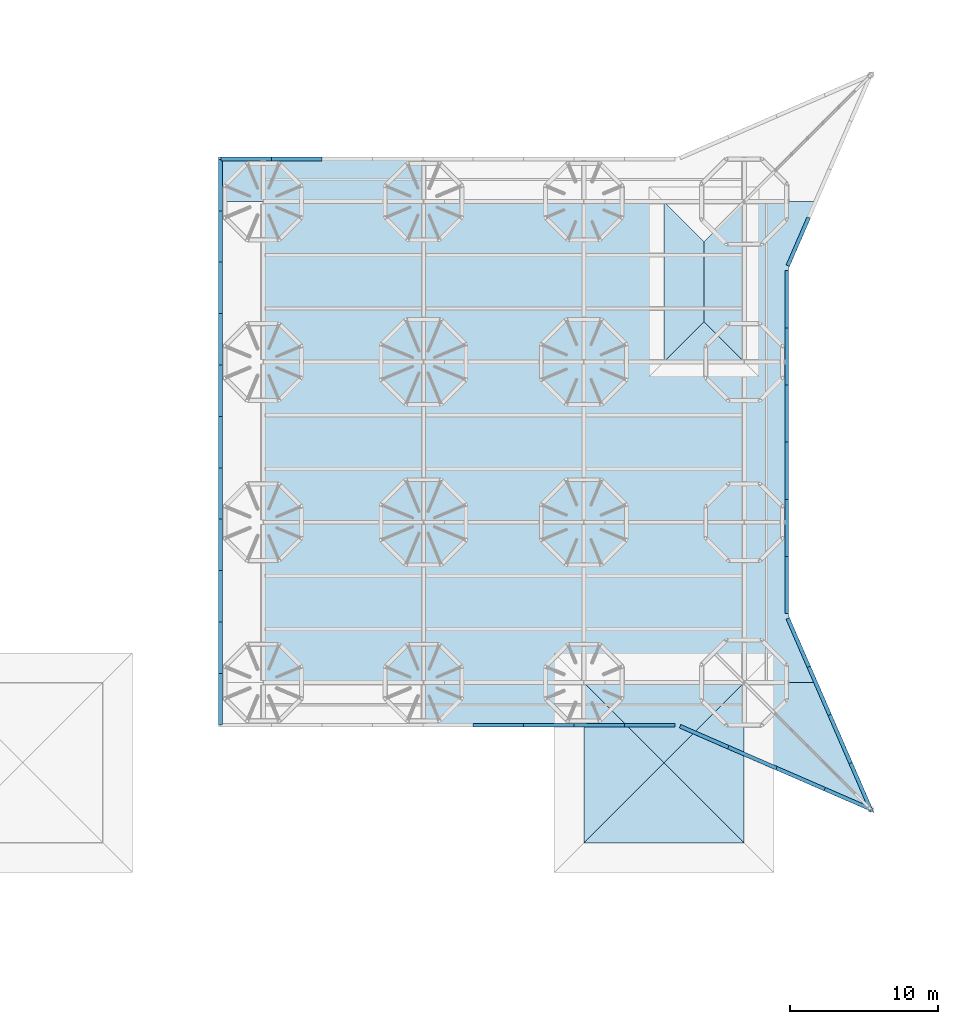
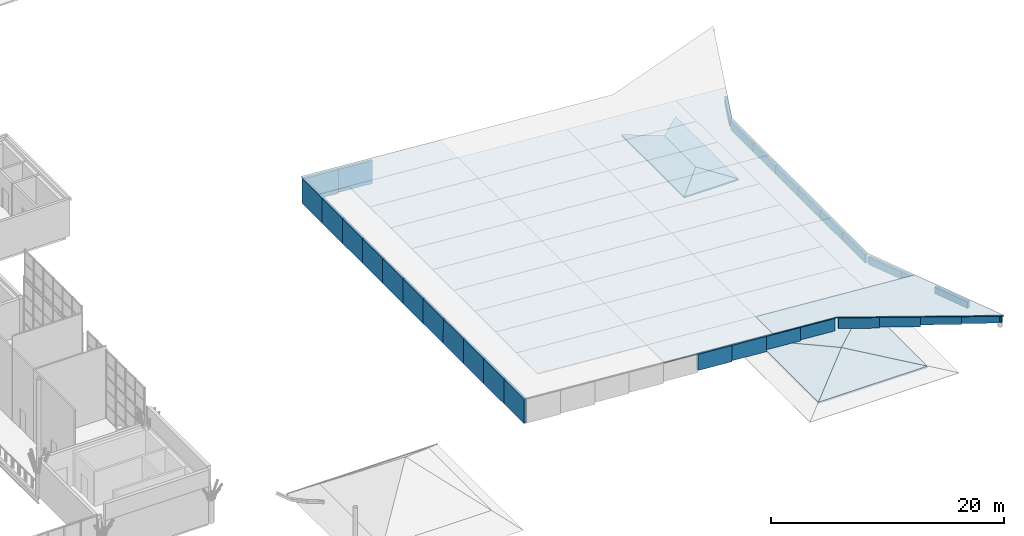
# One storey, part 54 of 95: 40 slabs, 32 plates.
"""IFC4 building model written with IfcOpenShell, lengths in metres."""

from ifc_helpers import new_model, si_unit, direction, frame, origin, place, context, subcontext, project, spatial, polyline, outline, extrude, material, layer, layer_set, type_object, element, save


model = new_model("IFC4")

# Units and contexts
model_context = context("Model", 3, precision=1e-05, world=origin(), true_north=direction((0.0, 1.0)))
body_context = subcontext(model_context, "Body", "Model", "MODEL_VIEW")
ifc_project = project(units=[si_unit("LENGTHUNIT", "METRE"), si_unit("AREAUNIT", "SQUARE_METRE"), si_unit("VOLUMEUNIT", "CUBIC_METRE"), si_unit("PLANEANGLEUNIT", "RADIAN"), si_unit("MASSUNIT", "GRAM", prefix="KILO")], contexts=[model_context])

# Site, building, storey
site_placement = place(None, origin())
site = spatial("IfcSite", under=ifc_project, at=site_placement, CompositionType="ELEMENT")
building_placement = place(site_placement, origin())
building = spatial("IfcBuilding", under=site, at=building_placement, Name="Magnolia Steps Interchange", CompositionType="ELEMENT")
storey_placement = place(building_placement, frame((0.0, 0.0, 4.800048828125)))
storey = spatial("IfcBuildingStorey", under=building, at=storey_placement, Name="L01", CompositionType="ELEMENT", Elevation=4.800048828125)

# Slabs
ifc_material_1 = material(Name="Concrete C30", Category="concrete")
ifc_layer_1 = layer(ifc_material_1, 0.10009765625)
ifc_layer_set_1 = layer_set([ifc_layer_1], Name="Composite roof deck 100")
slab_type_1 = type_object("IfcSlabType", Name="Composite roof deck 100", PredefinedType="ROOF", material=ifc_layer_set_1)
for number, where, z_axis, x_axis, name in (
    (1, (161.199951171875, 42.39990234375, 3.3935546875), (0.072732236604, 0.0, 0.997351503613), (0.0, 1.0, 0.0), "Composite roof deck panel"),
    (2, (161.199951171875, 46.0, 3.3935546875), (0.072732236604, 0.0, 0.997351503613), (0.0, 1.0, 0.0), "Composite roof deck panel"),
):
    element("IfcSlab", number, at=place(storey_placement, frame(where, z_axis=z_axis, x_axis=x_axis)), inside=storey, type_object=slab_type_1, Name=name, PredefinedType="ROOF", context=body_context, shape_type="SweptSolid", body=[
        extrude(outline(polyline([(0.0, 0.0), (3.600097656, 0.0), (3.600097656, 10.828728677), (0.0, 10.828728677), (0.0, 0.0)])), origin(), (0.0, -0.072732236604, -0.997351503613), 0.100341796875),
    ])
slab_1_placement = place(storey_placement, frame((161.199951171875, 49.60009765625, 3.3935546875), z_axis=(0.072732236604, 0.0, 0.997351503613), x_axis=(0.0, 1.0, 0.0)))
element("IfcSlab", 3, at=slab_1_placement, inside=storey, type_object=slab_type_1, Name="Composite roof deck panel", PredefinedType="ROOF", context=body_context, shape_type="SweptSolid", body=[
    extrude(outline(polyline([(0.0, 0.0), (3.599853516, 0.0), (3.599853516, 10.828728677), (0.0, 10.828728677), (0.0, 0.0)])), origin(), (0.0, -0.072732236604, -0.997351503613), 0.100341796875),
])
slab_2_placement = place(storey_placement, frame((161.199951171875, 53.199951171875, 3.3935546875), z_axis=(0.072732236604, 0.0, 0.997351503613), x_axis=(0.0, 1.0, 0.0)))
element("IfcSlab", 4, at=slab_2_placement, inside=storey, type_object=slab_type_1, Name="Composite roof deck panel", PredefinedType="ROOF", context=body_context, shape_type="SweptSolid", body=[
    extrude(outline(polyline([(0.0, 0.0), (3.600097656, 0.0), (3.600097656, 10.828728677), (0.0, 10.828728677), (0.0, 0.0)])), origin(), (0.0, -0.072732236604, -0.997351503613), 0.100341796875),
])
slab_3_placement = place(storey_placement, frame((161.199951171875, 56.800048828125, 3.3935546875), z_axis=(0.072732236604, 0.0, 0.997351503613), x_axis=(0.0, 1.0, 0.0)))
element("IfcSlab", 5, at=slab_3_placement, inside=storey, type_object=slab_type_1, Name="Composite roof deck panel", PredefinedType="ROOF", context=body_context, shape_type="SweptSolid", body=[
    extrude(outline(polyline([(0.0, 0.0), (3.599853516, 0.0), (3.599853516, 10.828728677), (0.0, 10.828728677), (0.0, 0.0)])), origin(), (0.0, -0.072732236604, -0.997351503613), 0.100341796875),
])
for number, where, z_axis, x_axis, name in (
    (6, (161.199951171875, 60.39990234375, 3.3935546875), (0.072732236604, 0.0, 0.997351503613), (0.0, 1.0, 0.0), "Composite roof deck panel"),
    (7, (161.199951171875, 64.0, 3.3935546875), (0.072732236604, 0.0, 0.997351503613), (0.0, 1.0, 0.0), "Composite roof deck panel"),
):
    element("IfcSlab", number, at=place(storey_placement, frame(where, z_axis=z_axis, x_axis=x_axis)), inside=storey, type_object=slab_type_1, Name=name, PredefinedType="ROOF", context=body_context, shape_type="SweptSolid", body=[
        extrude(outline(polyline([(0.0, 0.0), (3.600097656, 0.0), (3.600097656, 10.828728677), (0.0, 10.828728677), (0.0, 0.0)])), origin(), (0.0, -0.072732236604, -0.997351503613), 0.100341796875),
    ])
slab_4_placement = place(storey_placement, frame((161.199951171875, 67.60009765625, 3.3935546875), z_axis=(0.072732236604, 0.0, 0.997351503613), x_axis=(0.0, 1.0, 0.0)))
element("IfcSlab", 8, at=slab_4_placement, inside=storey, type_object=slab_type_1, Name="Composite roof deck panel", PredefinedType="ROOF", context=body_context, shape_type="SweptSolid", body=[
    extrude(outline(polyline([(0.0, 0.0), (3.599853516, 0.0), (3.599853516, 10.828728677), (0.0, 10.828728677), (0.0, 0.0)])), origin(), (0.0, -0.072732236604, -0.997351503613), 0.100341796875),
])
slab_5_placement = place(storey_placement, frame((161.199951171875, 71.199951171875, 3.3935546875), z_axis=(0.072732236604, 0.0, 0.997351503613), x_axis=(0.0, 1.0, 0.0)))
element("IfcSlab", 9, at=slab_5_placement, inside=storey, type_object=slab_type_1, Name="Composite roof deck panel", PredefinedType="ROOF", context=body_context, shape_type="SweptSolid", body=[
    extrude(outline(polyline([(0.0, 0.0), (3.600097656, 0.0), (3.600097656, 10.828728677), (0.0, 10.828728677), (0.0, 0.0)])), origin(), (0.0, -0.072732236604, -0.997351503613), 0.100341796875),
])
slab_6_placement = place(storey_placement, frame((147.39990234375, 74.800048828125, 4.39990234375), z_axis=(0.072730357589, 0.0, 0.997351640639), x_axis=(0.997351640639, 0.0, -0.072730357589)))
element("IfcSlab", 10, at=slab_6_placement, inside=storey, type_object=slab_type_1, Name="Composite roof deck panel", PredefinedType="ROOF", context=body_context, shape_type="SweptSolid", body=[
    extrude(outline(polyline([(0.0, 0.0), (13.836693365, 0.0), (13.836693365, 3.0), (0.0, 3.0), (0.0, 0.0)])), origin(), (0.072730357589, 0.0, -0.997351640639), 0.100341796875),
])
slab_7_placement = place(storey_placement, frame((172.0, 39.39990234375, 2.606201171875), z_axis=(0.072709810174, 0.0, 0.997353138815), x_axis=(0.0, 1.0, 0.0)))
element("IfcSlab", 11, at=slab_7_placement, inside=storey, type_object=slab_type_1, Name="Composite roof deck panel", PredefinedType="ROOF", context=body_context, shape_type="SweptSolid", body=[
    extrude(outline(polyline([(0.0, 0.0), (3.0, 0.0), (3.0, 10.828710923), (0.0, 10.828710923), (0.0, 0.0)])), origin(), (0.0, -0.072709810174, -0.997353138815), 0.100341796875),
])
for number, where, z_axis, x_axis, name in (
    (12, (172.0, 42.39990234375, 2.606201171875), (0.072709810174, 0.0, 0.997353138815), (0.0, 1.0, 0.0), "Composite roof deck panel"),
    (13, (172.0, 46.0, 2.606201171875), (0.072709810174, 0.0, 0.997353138815), (0.0, 1.0, 0.0), "Composite roof deck panel"),
):
    element("IfcSlab", number, at=place(storey_placement, frame(where, z_axis=z_axis, x_axis=x_axis)), inside=storey, type_object=slab_type_1, Name=name, PredefinedType="ROOF", context=body_context, shape_type="SweptSolid", body=[
        extrude(outline(polyline([(0.0, 0.0), (3.600097656, 0.0), (3.600097656, 10.828710923), (0.0, 10.828710923), (0.0, 0.0)])), origin(), (0.0, -0.072709810174, -0.997353138815), 0.100341796875),
    ])
slab_8_placement = place(storey_placement, frame((172.0, 49.60009765625, 2.606201171875), z_axis=(0.072709810174, 0.0, 0.997353138815), x_axis=(0.0, 1.0, 0.0)))
element("IfcSlab", 14, at=slab_8_placement, inside=storey, type_object=slab_type_1, Name="Composite roof deck panel", PredefinedType="ROOF", context=body_context, shape_type="SweptSolid", body=[
    extrude(outline(polyline([(0.0, 0.0), (3.599853516, 0.0), (3.599853516, 10.828710923), (0.0, 10.828710923), (0.0, 0.0)])), origin(), (0.0, -0.072709810174, -0.997353138815), 0.100341796875),
])
slab_9_placement = place(storey_placement, frame((172.0, 53.199951171875, 2.606201171875), z_axis=(0.072709810174, 0.0, 0.997353138815), x_axis=(0.0, 1.0, 0.0)))
element("IfcSlab", 15, at=slab_9_placement, inside=storey, type_object=slab_type_1, Name="Composite roof deck panel", PredefinedType="ROOF", context=body_context, shape_type="SweptSolid", body=[
    extrude(outline(polyline([(0.0, 0.0), (3.600097656, 0.0), (3.600097656, 10.828710923), (0.0, 10.828710923), (0.0, 0.0)])), origin(), (0.0, -0.072709810174, -0.997353138815), 0.100341796875),
])
slab_10_placement = place(storey_placement, frame((172.0, 56.800048828125, 2.606201171875), z_axis=(0.072709810174, 0.0, 0.997353138815), x_axis=(0.0, 1.0, 0.0)))
element("IfcSlab", 16, at=slab_10_placement, inside=storey, type_object=slab_type_1, Name="Composite roof deck panel", PredefinedType="ROOF", context=body_context, shape_type="SweptSolid", body=[
    extrude(outline(polyline([(0.0, 0.0), (3.599853516, 0.0), (3.599853516, 10.828710923), (0.0, 10.828710923), (0.0, 0.0)])), origin(), (0.0, -0.072709810174, -0.997353138815), 0.100341796875),
])
for number, where, z_axis, x_axis, name in (
    (17, (172.0, 60.39990234375, 2.606201171875), (0.072709810174, 0.0, 0.997353138815), (0.0, 1.0, 0.0), "Composite roof deck panel"),
    (18, (172.0, 64.0, 2.606201171875), (0.072709810174, 0.0, 0.997353138815), (0.0, 1.0, 0.0), "Composite roof deck panel"),
):
    element("IfcSlab", number, at=place(storey_placement, frame(where, z_axis=z_axis, x_axis=x_axis)), inside=storey, type_object=slab_type_1, Name=name, PredefinedType="ROOF", context=body_context, shape_type="SweptSolid", body=[
        extrude(outline(polyline([(0.0, 0.0), (3.600097656, 0.0), (3.600097656, 10.828710923), (0.0, 10.828710923), (0.0, 0.0)])), origin(), (0.0, -0.072709810174, -0.997353138815), 0.100341796875),
    ])
slab_11_placement = place(storey_placement, frame((172.0, 67.60009765625, 2.606201171875), z_axis=(0.072709810174, 0.0, 0.997353138815), x_axis=(0.0, 1.0, 0.0)))
element("IfcSlab", 19, at=slab_11_placement, inside=storey, type_object=slab_type_1, Name="Composite roof deck panel", PredefinedType="ROOF", context=body_context, shape_type="SweptSolid", body=[
    extrude(outline(polyline([(0.0, 0.0), (3.599853516, 0.0), (3.599853516, 10.828710923), (0.0, 10.828710923), (0.0, 0.0)])), origin(), (0.0, -0.072709810174, -0.997353138815), 0.100341796875),
])
slab_12_placement = place(storey_placement, frame((172.0, 71.199951171875, 2.606201171875), z_axis=(0.072709810174, 0.0, 0.997353138815), x_axis=(0.0, 1.0, 0.0)))
element("IfcSlab", 20, at=slab_12_placement, inside=storey, type_object=slab_type_1, Name="Composite roof deck panel", PredefinedType="ROOF", context=body_context, shape_type="SweptSolid", body=[
    extrude(outline(polyline([(0.0, 0.0), (3.600097656, 0.0), (3.600097656, 10.828710923), (0.0, 10.828710923), (0.0, 0.0)])), origin(), (0.0, -0.072709810174, -0.997353138815), 0.100341796875),
])
slab_13_placement = place(storey_placement, frame((187.75634765625, 42.39990234375, 1.457275390625), z_axis=(0.072724587426, -1.7762056e-05, 0.997352061244), x_axis=(-0.997352061402, 1.1e-11, 0.072724587438)))
element("IfcSlab", 21, at=slab_13_placement, inside=storey, type_object=slab_type_1, Name="Composite roof deck panel", PredefinedType="ROOF", context=body_context, shape_type="SweptSolid", body=[
    extrude(outline(polyline([(0.0, 0.0), (15.798180969, 0.0), (15.798180969, 3.0), (9.481399324, 3.000000001), (-3.821897227, 8.768066407), (0.0, 0.0)])), origin(), (-0.072724587438, 1.7715022e-05, -0.997352061244), 0.100341796875),
])
for number, where, z_axis, x_axis, name in (
    (22, (182.800048828125, 42.39990234375, 1.818603515625), (0.072732236604, 0.0, 0.997351503613), (0.0, 1.0, 0.0), "Composite roof deck panel"),
    (23, (182.800048828125, 46.0, 1.818603515625), (0.072732236604, 0.0, 0.997351503613), (0.0, 1.0, 0.0), "Composite roof deck panel"),
):
    element("IfcSlab", number, at=place(storey_placement, frame(where, z_axis=z_axis, x_axis=x_axis)), inside=storey, type_object=slab_type_1, Name=name, PredefinedType="ROOF", context=body_context, shape_type="SweptSolid", body=[
        extrude(outline(polyline([(0.0, 0.0), (3.600097656, 0.0), (3.600097656, 10.828728677), (0.0, 10.828728677), (0.0, 0.0)])), origin(), (0.0, -0.072732236604, -0.997351503613), 0.100341796875),
    ])
slab_14_placement = place(storey_placement, frame((182.800048828125, 49.60009765625, 1.818603515625), z_axis=(0.072732236604, 0.0, 0.997351503613), x_axis=(0.0, 1.0, 0.0)))
element("IfcSlab", 24, at=slab_14_placement, inside=storey, type_object=slab_type_1, Name="Composite roof deck panel", PredefinedType="ROOF", context=body_context, shape_type="SweptSolid", body=[
    extrude(outline(polyline([(0.0, 0.0), (3.599853516, 0.0), (3.599853516, 10.828728677), (0.0, 10.828728677), (0.0, 0.0)])), origin(), (0.0, -0.072732236604, -0.997351503613), 0.100341796875),
])
slab_15_placement = place(storey_placement, frame((182.800048828125, 53.199951171875, 1.818603515625), z_axis=(0.072732236604, 0.0, 0.997351503613), x_axis=(0.0, 1.0, 0.0)))
element("IfcSlab", 25, at=slab_15_placement, inside=storey, type_object=slab_type_1, Name="Composite roof deck panel", PredefinedType="ROOF", context=body_context, shape_type="SweptSolid", body=[
    extrude(outline(polyline([(0.0, 0.0), (3.600097656, 0.0), (3.600097656, 10.828728677), (0.0, 10.828728677), (0.0, 0.0)])), origin(), (0.0, -0.072732236604, -0.997351503613), 0.100341796875),
])
slab_16_placement = place(storey_placement, frame((182.800048828125, 56.800048828125, 1.818603515625), z_axis=(0.072732236604, 0.0, 0.997351503613), x_axis=(0.0, 1.0, 0.0)))
element("IfcSlab", 26, at=slab_16_placement, inside=storey, type_object=slab_type_1, Name="Composite roof deck panel", PredefinedType="ROOF", context=body_context, shape_type="SweptSolid", body=[
    extrude(outline(polyline([(0.0, 0.0), (3.599853516, 0.0), (3.599853516, 10.828728677), (0.0, 10.828728677), (0.0, 0.0)])), origin(), (0.0, -0.072732236604, -0.997351503613), 0.100341796875),
])
for number, where, z_axis, x_axis, name in (
    (27, (182.800048828125, 60.39990234375, 1.818603515625), (0.072732236604, 0.0, 0.997351503613), (0.0, 1.0, 0.0), "Composite roof deck panel"),
    (28, (182.800048828125, 64.0, 1.818603515625), (0.072732236604, 0.0, 0.997351503613), (0.0, 1.0, 0.0), "Composite roof deck panel"),
):
    element("IfcSlab", number, at=place(storey_placement, frame(where, z_axis=z_axis, x_axis=x_axis)), inside=storey, type_object=slab_type_1, Name=name, PredefinedType="ROOF", context=body_context, shape_type="SweptSolid", body=[
        extrude(outline(polyline([(0.0, 0.0), (3.600097656, 0.0), (3.600097656, 10.828728677), (0.0, 10.828728677), (0.0, 0.0)])), origin(), (0.0, -0.072732236604, -0.997351503613), 0.100341796875),
    ])
slab_17_placement = place(storey_placement, frame((182.800048828125, 67.60009765625, 1.818603515625), z_axis=(0.072732236604, 0.0, 0.997351503613), x_axis=(0.0, 1.0, 0.0)))
element("IfcSlab", 29, at=slab_17_placement, inside=storey, type_object=slab_type_1, Name="Composite roof deck panel", PredefinedType="ROOF", context=body_context, shape_type="SweptSolid", body=[
    extrude(outline(polyline([(0.0, 0.0), (3.599853516, 0.0), (3.599853516, 10.828728677), (0.0, 10.828728677), (0.0, 0.0)])), origin(), (0.0, -0.072732236604, -0.997351503613), 0.100341796875),
])
slab_18_placement = place(storey_placement, frame((182.800048828125, 71.199951171875, 1.818603515625), z_axis=(0.072732236604, 0.0, 0.997351503613), x_axis=(0.0, 1.0, 0.0)))
element("IfcSlab", 30, at=slab_18_placement, inside=storey, type_object=slab_type_1, Name="Composite roof deck panel", PredefinedType="ROOF", context=body_context, shape_type="SweptSolid", body=[
    extrude(outline(polyline([(0.0, 0.0), (3.600097656, 0.0), (3.600097656, 10.828728677), (0.0, 10.828728677), (0.0, 0.0)])), origin(), (0.0, -0.072732236604, -0.997351503613), 0.100341796875),
])
slab_19_placement = place(storey_placement, frame((185.800048828125, 53.199951171875, 1.599853515625), z_axis=(0.072719428322, 2.791279e-06, 0.997352437575), x_axis=(-0.997352437579, -1.2e-11, 0.072719428322)))
element("IfcSlab", 31, at=slab_19_placement, inside=storey, type_object=slab_type_1, Name="Composite roof deck panel", PredefinedType="ROOF", context=body_context, shape_type="SweptSolid", body=[
    extrude(outline(polyline([(0.0, 0.0), (3.007964688, 0.0), (3.007964688, 10.800048828), (-1.961487604, 10.800048828), (0.0, 6.300048828), (0.0, 0.0)])), origin(), (-0.072719428322, -2.783888e-06, -0.997352437575), 0.100341796875),
])
slab_20_placement = place(storey_placement, frame((185.800048828125, 64.0, 1.599853515625), z_axis=(0.072723593097, 0.0, 0.997352133906), x_axis=(-0.997352133906, 0.0, 0.072723593097)))
element("IfcSlab", 32, at=slab_20_placement, inside=storey, type_object=slab_type_1, Name="Composite roof deck panel", PredefinedType="ROOF", context=body_context, shape_type="SweptSolid", body=[
    extrude(outline(polyline([(0.0, 0.0), (3.007964688, 0.0), (3.007964688, 10.800048828), (0.0, 10.800048828), (0.0, 0.0)])), origin(), (-0.072723593097, 0.0, -0.997352133906), 0.100341796875),
])
slab_21_placement = place(storey_placement, frame((187.75634765625, 74.800048828125, 1.457275390625), z_axis=(0.072719428322, -2.791279e-06, 0.997352437575), x_axis=(-0.997352437579, -2.7e-11, 0.072719428322)))
element("IfcSlab", 33, at=slab_21_placement, inside=storey, type_object=slab_type_1, Name="Composite roof deck panel", PredefinedType="ROOF", context=body_context, shape_type="SweptSolid", body=[
    extrude(outline(polyline([(0.0, 0.0), (4.969452292, 0.0), (4.969452293, 10.800048828), (1.961487605, 10.800048828), (1.961487605, 4.5), (0.0, 0.0)])), origin(), (-0.072719428322, 2.783891e-06, -0.997352437575), 0.100341796875),
])

# Plates
ifc_material_2 = material(Name="White painted steel", Category="steel")
ifc_layer_2 = layer(ifc_material_2, 0.25)
ifc_layer_set_2 = layer_set([ifc_layer_2], Name="Fascia plate 250")
plate_type = type_object("IfcPlateType", Name="Fascia plate 250", PredefinedType="SHEET", material=ifc_layer_set_2)
plate_1_placement = place(storey_placement, frame((164.550048828125, 39.39990234375, 1.34912109375), z_axis=(9.4247123e-05, -0.999999160342, 0.001292452422), x_axis=(0.997349211193, -4.6281e-08, -0.072763664924)))
element("IfcPlate", 34, at=plate_1_placement, inside=storey, type_object=plate_type, Name="Sloping fascia plate", PredefinedType="SHEET", context=body_context, shape_type="SweptSolid", body=[
    extrude(outline(polyline([(0.0, 0.0), (3.40893872, 0.0), (3.285226278, 1.695689877), (-0.123694678, 1.695446384), (0.0, 0.0)])), origin(), (0.0, 0.0, -1.0), 0.25),
])
plate_2_placement = place(storey_placement, frame((167.949951171875, 39.39990234375, 1.201171875), z_axis=(0.000100136209, -0.999999051995, 0.001373310669), x_axis=(0.997354784428, 4.9173e-08, -0.072687233944)))
element("IfcPlate", 35, at=plate_2_placement, inside=storey, type_object=plate_type, Name="Sloping fascia plate", PredefinedType="SHEET", context=body_context, shape_type="SweptSolid", body=[
    extrude(outline(polyline([(0.0, 0.0), (3.409164459, 0.0), (3.292875533, 1.595623071), (-0.116306673, 1.595866566), (0.0, 0.0)])), origin(), (0.0, 0.0, -1.0), 0.25),
])
plate_3_placement = place(storey_placement, frame((171.35009765625, 39.39990234375, 1.1533203125), z_axis=(0.000114445824, -0.99999876187, 0.001569446134), x_axis=(0.997349211195, -5.62e-08, -0.072763664896)))
element("IfcPlate", 36, at=plate_3_placement, inside=storey, type_object=plate_type, Name="Sloping fascia plate", PredefinedType="SHEET", context=body_context, shape_type="SweptSolid", body=[
    extrude(outline(polyline([(0.0, 0.0), (3.40893872, 0.0), (3.307058931, 1.39643672), (-0.101862025, 1.396193227), (0.0, 0.0)])), origin(), (0.0, 0.0, -1.0), 0.25),
])
plate_4_placement = place(storey_placement, frame((174.75, 39.39990234375, 1.00537109375), z_axis=(0.000123258419, -0.99999856385, 0.001690297131), x_axis=(0.997354406022, 6.0528e-08, -0.072692425933)))
element("IfcPlate", 37, at=plate_4_placement, inside=storey, type_object=plate_type, Name="Sloping fascia plate", PredefinedType="SHEET", context=body_context, shape_type="SweptSolid", body=[
    extrude(outline(polyline([(0.0, 0.0), (3.408920964, 0.0), (3.314435009, 1.296367794), (-0.094503703, 1.296611289), (0.0, 0.0)])), origin(), (0.0, 0.0, -1.0), 0.25),
])
plate_5_placement = place(storey_placement, frame((178.4375, 39.340087890625, 0.9365234375), z_axis=(-0.39857373802, -0.917134242256, 0.001938308995), x_axis=(0.915041327785, -0.397805177186, -0.066711389208)))
element("IfcPlate", 38, at=plate_5_placement, inside=storey, type_object=plate_type, Name="Sloping fascia plate", PredefinedType="SHEET", context=body_context, shape_type="SweptSolid", body=[
    extrude(outline(polyline([(0.0, 0.0), (3.549863296, 0.0), (3.476383773, 1.097398225), (-0.073256124, 1.097413351), (0.0, 0.0)])), origin(), (0.0, 0.0, -1.0), 0.25),
])
plate_6_placement = place(storey_placement, frame((181.685791015625, 37.927978515625, 0.799560546875), z_axis=(-0.398530104123, -0.917153133496, 0.00197124971), x_axis=(0.915059254355, -0.397763639383, -0.06671317864)))
element("IfcPlate", 39, at=plate_6_placement, inside=storey, type_object=plate_type, Name="Sloping fascia plate", PredefinedType="SHEET", context=body_context, shape_type="SweptSolid", body=[
    extrude(outline(polyline([(0.0, 0.0), (3.549766184, 0.0), (3.483043443, 0.997773281), (-0.066819851, 0.99776723), (0.0, 0.0)])), origin(), (0.0, 0.0, -1.0), 0.25),
])
plate_7_placement = place(storey_placement, frame((184.93408203125, 36.51611328125, 0.7626953125), z_axis=(-0.398557438027, -0.917140064416, 0.002463906865), x_axis=(0.915034325287, -0.39782157269, -0.066709668328)))
element("IfcPlate", 40, at=plate_7_placement, inside=storey, type_object=plate_type, Name="Sloping fascia plate", PredefinedType="SHEET", context=body_context, shape_type="SweptSolid", body=[
    extrude(outline(polyline([(0.0, 0.0), (3.549960419, 0.0), (3.496482622, 0.798262232), (-0.053380672, 0.798268173), (0.0, 0.0)])), origin(), (0.0, 0.0, -1.0), 0.25),
])
plate_8_placement = place(storey_placement, frame((188.182373046875, 35.103759765625, 0.6259765625), z_axis=(-0.398504728521, -0.917161220825, 0.003045712004), x_axis=(0.915041061888, -0.397805073245, -0.066715656037)))
element("IfcPlate", 41, at=plate_8_placement, inside=storey, type_object=plate_type, Name="Sloping fascia plate", PredefinedType="SHEET", context=body_context, shape_type="SweptSolid", body=[
    extrude(outline(polyline([(0.0, 0.0), (3.549639897, 0.0), (3.503058827, 0.698402902), (-0.046804469, 0.698387667), (0.0, 0.0)])), origin(), (0.0, 0.0, -1.0), 0.25),
])
plate_9_placement = place(storey_placement, frame((191.50830078125, 33.76953125, 0.4833984375), z_axis=(0.917099380755, 0.398645113782, 0.00328619483), x_axis=(-0.398566337379, 0.916678457671, 0.029077137934)))
element("IfcPlate", 42, at=plate_9_placement, inside=storey, type_object=plate_type, Name="Sloping fascia plate", PredefinedType="SHEET", context=body_context, shape_type="SweptSolid", body=[
    extrude(outline(polyline([(0.0, 0.0), (3.543229602, 0.0), (3.56077868, 0.599600374), (0.017451772, 0.599602469), (0.0, 0.0)])), origin(), (0.0, 0.0, -1.0), 0.25),
])
plate_10_placement = place(storey_placement, frame((190.09619140625, 37.017578125, 0.486328125), z_axis=(0.917126318638, 0.398585046504, 0.003045712665), x_axis=(-0.398499613213, 0.916707580578, 0.029073527133)))
element("IfcPlate", 43, at=plate_10_placement, inside=storey, type_object=plate_type, Name="Sloping fascia plate", PredefinedType="SHEET", context=body_context, shape_type="SweptSolid", body=[
    extrude(outline(polyline([(0.0, 0.0), (3.543677212, 0.0), (3.563910358, 0.699662082), (0.020456952, 0.699655276), (0.0, 0.0)])), origin(), (0.0, 0.0, -1.0), 0.25),
])
plate_11_placement = place(storey_placement, frame((188.68408203125, 40.26611328125, 0.4892578125), z_axis=(0.917111946584, 0.398620843729, 0.002664653197), x_axis=(-0.398524766022, 0.916696527075, 0.029077278345)))
element("IfcPlate", 44, at=plate_11_placement, inside=storey, type_object=plate_type, Name="Sloping fascia plate", PredefinedType="SHEET", context=body_context, shape_type="SweptSolid", body=[
    extrude(outline(polyline([(0.0, 0.0), (3.543229603, 0.0), (3.566599806, 0.799710141), (0.0231464, 0.799716911), (0.0, 0.0)])), origin(), (0.0, 0.0, -1.0), 0.25),
])
plate_12_placement = place(storey_placement, frame((187.27197265625, 43.51416015625, 0.59228515625), z_axis=(0.917116864568, 0.398609930599, 0.002603834211), x_axis=(-0.398512189404, 0.916702053945, 0.029075405243)))
element("IfcPlate", 45, at=plate_12_placement, inside=storey, type_object=plate_type, Name="Sloping fascia plate", PredefinedType="SHEET", context=body_context, shape_type="SweptSolid", body=[
    extrude(outline(polyline([(0.0, 0.0), (3.543453406, 0.0), (3.566822082, 0.799710187), (0.023368675, 0.799710187), (0.0, 0.0)])), origin(), (0.0, 0.0, -1.0), 0.25),
])
plate_13_placement = place(storey_placement, frame((185.800048828125, 47.050048828125, 0.599609375), z_axis=(0.999997646023, 0.0, 0.002169780626), x_axis=(0.0, 1.0, 0.0)))
element("IfcPlate", 46, at=plate_13_placement, inside=storey, type_object=plate_type, Name="Sloping fascia plate", PredefinedType="SHEET", context=body_context, shape_type="SweptSolid", body=[
    extrude(outline(polyline([(0.0, 0.0), (3.849853516, 0.0), (3.849853516, 0.900148603), (0.0, 0.900148603), (0.0, 0.0)])), origin(), (0.0, 0.0, -1.0), 0.25),
])
for number, where, z_axis, x_axis, name in (
    (47, (185.800048828125, 50.89990234375, 0.599609375), (0.999997646023, 0.0, 0.002169780626), (0.0, 1.0, 0.0), "Sloping fascia plate"),
    (48, (185.800048828125, 54.75, 0.599609375), (0.999997646023, 0.0, 0.002169780626), (0.0, 1.0, 0.0), "Sloping fascia plate"),
):
    element("IfcPlate", number, at=place(storey_placement, frame(where, z_axis=z_axis, x_axis=x_axis)), inside=storey, type_object=plate_type, Name=name, PredefinedType="SHEET", context=body_context, shape_type="SweptSolid", body=[
        extrude(outline(polyline([(0.0, 0.0), (3.850097656, 0.0), (3.850097656, 0.900148603), (0.0, 0.900148603), (0.0, 0.0)])), origin(), (0.0, 0.0, -1.0), 0.25),
    ])
plate_14_placement = place(storey_placement, frame((185.800048828125, 58.60009765625, 0.599609375), z_axis=(0.999997646023, 0.0, 0.002169780626), x_axis=(0.0, 1.0, 0.0)))
element("IfcPlate", 49, at=plate_14_placement, inside=storey, type_object=plate_type, Name="Sloping fascia plate", PredefinedType="SHEET", context=body_context, shape_type="SweptSolid", body=[
    extrude(outline(polyline([(0.0, 0.0), (3.849853516, 0.0), (3.849853516, 0.900148603), (0.0, 0.900148603), (0.0, 0.0)])), origin(), (0.0, 0.0, -1.0), 0.25),
])
plate_15_placement = place(storey_placement, frame((185.800048828125, 62.449951171875, 0.599609375), z_axis=(0.999997646023, 0.0, 0.002169780626), x_axis=(0.0, 1.0, 0.0)))
element("IfcPlate", 50, at=plate_15_placement, inside=storey, type_object=plate_type, Name="Sloping fascia plate", PredefinedType="SHEET", context=body_context, shape_type="SweptSolid", body=[
    extrude(outline(polyline([(0.0, 0.0), (3.850097656, 0.0), (3.850097656, 0.900148603), (0.0, 0.900148603), (0.0, 0.0)])), origin(), (0.0, 0.0, -1.0), 0.25),
])
plate_16_placement = place(storey_placement, frame((185.800048828125, 66.300048828125, 0.599609375), z_axis=(0.999997646023, 0.0, 0.002169780626), x_axis=(0.0, 1.0, 0.0)))
element("IfcPlate", 51, at=plate_16_placement, inside=storey, type_object=plate_type, Name="Sloping fascia plate", PredefinedType="SHEET", context=body_context, shape_type="SweptSolid", body=[
    extrude(outline(polyline([(0.0, 0.0), (3.849853516, 0.0), (3.849853516, 0.900148603), (0.0, 0.900148603), (0.0, 0.0)])), origin(), (0.0, 0.0, -1.0), 0.25),
])
plate_17_placement = place(storey_placement, frame((185.85986328125, 70.4375, 0.6953125), z_axis=(0.917111946584, -0.398620843729, 0.002664653197), x_axis=(0.398524783499, 0.91669658005, -0.029075368654)))
element("IfcPlate", 52, at=plate_17_placement, inside=storey, type_object=plate_type, Name="Sloping fascia plate", PredefinedType="SHEET", context=body_context, shape_type="SweptSolid", body=[
    extrude(outline(polyline([(0.0, 0.0), (3.543453406, 0.0), (3.520084731, 0.799710186), (-0.023144872, 0.799716955), (0.0, 0.0)])), origin(), (0.0, 0.0, -1.0), 0.25),
])
plate_18_placement = place(storey_placement, frame((154.35009765625, 77.800048828125, 1.392822265625), z_axis=(5.9338503e-05, 0.999999667109, 0.000813793534), x_axis=(-0.997349590333, -2.9139e-08, 0.072758467972)))
element("IfcPlate", 53, at=plate_18_placement, inside=storey, type_object=plate_type, Name="Sloping fascia plate", PredefinedType="SHEET", context=body_context, shape_type="SweptSolid", body=[
    extrude(outline(polyline([(0.0, 0.0), (3.409182214, 0.0), (3.583795432, 2.393542416), (0.174630981, 2.39378591), (0.0, 0.0)])), origin(), (0.0, 0.0, -1.0), 0.25),
])
plate_19_placement = place(storey_placement, frame((150.949951171875, 77.800048828125, 1.540771484375), z_axis=(5.6941585e-05, 0.999999693203, 0.00078124976), x_axis=(-0.99735440603, 0.0, 0.072692425831)))
element("IfcPlate", 54, at=plate_19_placement, inside=storey, type_object=plate_type, Name="Sloping fascia plate", PredefinedType="SHEET", context=body_context, shape_type="SweptSolid", body=[
    extrude(outline(polyline([(0.0, 0.0), (3.408920964, 0.0), (3.590652029, 2.49338678), (0.181731065, 2.49338678), (0.0, 0.0)])), origin(), (0.0, 0.0, -1.0), 0.25),
])
for number, where, z_axis, x_axis, name in (
    (55, (147.39990234375, 77.64990234375, 1.69970703125), (-0.999999642861, 0.0, 0.000845149477), (0.0, -1.0, 0.0), "Sloping fascia plate"),
    (56, (147.39990234375, 74.186279296875, 1.69970703125), (-0.999999642861, 0.0, 0.000845149477), (0.0, -1.0, 0.0), "Sloping fascia plate"),
    (57, (147.39990234375, 70.72265625, 1.69970703125), (-0.999999642861, 0.0, 0.000845149477), (0.0, -1.0, 0.0), "Sloping fascia plate"),
    (58, (147.39990234375, 67.259033203125, 1.69970703125), (-0.999999642861, 0.0, 0.000845149477), (0.0, -1.0, 0.0), "Sloping fascia plate"),
    (59, (147.39990234375, 63.79541015625, 1.69970703125), (-0.999999642861, 0.0, 0.000845149477), (0.0, -1.0, 0.0), "Sloping fascia plate"),
    (60, (147.39990234375, 60.331787109375, 1.69970703125), (-0.999999642861, 0.0, 0.000845149477), (0.0, -1.0, 0.0), "Sloping fascia plate"),
    (61, (147.39990234375, 56.8681640625, 1.69970703125), (-0.999999642861, 0.0, 0.000845149477), (0.0, -1.0, 0.0), "Sloping fascia plate"),
    (62, (147.39990234375, 53.404541015625, 1.69970703125), (-0.999999642861, 0.0, 0.000845149477), (0.0, -1.0, 0.0), "Sloping fascia plate"),
    (63, (147.39990234375, 49.94091796875, 1.69970703125), (-0.999999642861, 0.0, 0.000845149477), (0.0, -1.0, 0.0), "Sloping fascia plate"),
    (64, (147.39990234375, 46.477294921875, 1.69970703125), (-0.999999642861, 0.0, 0.000845149477), (0.0, -1.0, 0.0), "Sloping fascia plate"),
    (65, (147.39990234375, 43.013671875, 1.69970703125), (-0.999999642861, 0.0, 0.000845149477), (0.0, -1.0, 0.0), "Sloping fascia plate"),
):
    element("IfcPlate", number, at=place(storey_placement, frame(where, z_axis=z_axis, x_axis=x_axis)), inside=storey, type_object=plate_type, Name=name, PredefinedType="SHEET", context=body_context, shape_type="SweptSolid", body=[
        extrude(outline(polyline([(0.0, 0.0), (3.463623047, 0.0), (3.463623047, 2.599854444), (0.0, 2.599854444), (0.0, 0.0)])), origin(), (0.0, 0.0, -1.0), 0.25),
    ])

# Slabs
ifc_material_3 = material(Name="Concrete C40", Category="concrete")
ifc_layer_3 = layer(ifc_material_3, 0.14990234375)
ifc_layer_set_3 = layer_set([ifc_layer_3], Name="Pavilion roof slab 150")
slab_type_2 = type_object("IfcSlabType", Name="Pavilion roof slab 150", PredefinedType="ROOF", material=ifc_layer_set_3)
slab_22_placement = place(storey_placement, frame((182.800048828125, 64.0, 0.1435546875), z_axis=(0.206077371051, 0.0, 0.978535700494), x_axis=(0.0, 1.0, 0.0)))
element("IfcSlab", 66, at=slab_22_placement, inside=storey, type_object=slab_type_2, Name="Pavilion roof slab BE-E 1", PredefinedType="ROOF", context=body_context, shape_type="SweptSolid", body=[
    extrude(outline(polyline([(0.0, 0.0), (10.800048828, 0.0), (8.100097656, 2.759174929), (2.699951172, 2.759174929), (0.0, 0.0)])), origin(), (0.0, -0.206077371051, -0.978535700494), 0.1533203125),
])
slab_23_placement = place(storey_placement, frame((177.39990234375, 74.800048828125, 0.1435546875), z_axis=(-0.206059529564, 0.0, 0.9785394577), x_axis=(0.0, -1.0, 0.0)))
element("IfcSlab", 67, at=slab_23_placement, inside=storey, type_object=slab_type_2, Name="Pavilion roof slab BE-E 2", PredefinedType="ROOF", context=body_context, shape_type="SweptSolid", body=[
    extrude(outline(polyline([(0.0, 0.0), (10.800048828, 0.0), (8.100097656, 2.75941383), (2.699951172, 2.75941383), (0.0, 0.0)])), origin(), (0.0, -0.206059529564, -0.9785394577), 0.1533203125),
])
slab_24_placement = place(storey_placement, frame((177.39990234375, 64.0, 0.1435546875), z_axis=(0.0, -0.206077371051, 0.978535700494), x_axis=(1.0, 0.0, 0.0)))
element("IfcSlab", 68, at=slab_24_placement, inside=storey, type_object=slab_type_2, Name="Pavilion roof slab BE-E 3", PredefinedType="ROOF", context=body_context, shape_type="SweptSolid", body=[
    extrude(outline(polyline([(0.0, 0.0), (5.400146484, 0.0), (2.700195312, 2.759174929), (0.0, 0.0)])), origin(), (0.0, -0.206077371051, -0.978535700494), 0.1533203125),
])
slab_25_placement = place(storey_placement, frame((172.0, 31.60009765625, 0.149169921875), z_axis=(0.0, -0.104719892906, 0.994501756675), x_axis=(1.0, 0.0, 0.0)))
element("IfcSlab", 69, at=slab_25_placement, inside=storey, type_object=slab_type_2, Name="Pavilion roof slab BC4 1", PredefinedType="ROOF", context=body_context, shape_type="SweptSolid", body=[
    extrude(outline(polyline([(0.0, 0.0), (10.800048828, 0.0), (5.399902344, 5.429756466), (0.0, 0.0)])), origin(), (0.0, -0.104719892906, -0.994501756675), 0.15087890625),
])
slab_26_placement = place(storey_placement, frame((182.800048828125, 42.39990234375, 0.149169921875), z_axis=(0.0, 0.104719892906, 0.994501756675), x_axis=(-1.0, 0.0, 0.0)))
element("IfcSlab", 70, at=slab_26_placement, inside=storey, type_object=slab_type_2, Name="Pavilion roof slab BC4 2", PredefinedType="ROOF", context=body_context, shape_type="SweptSolid", body=[
    extrude(outline(polyline([(0.0, 0.0), (10.800048828, 0.0), (5.400146484, 5.429756466), (0.0, 0.0)])), origin(), (0.0, -0.104719892906, -0.994501756675), 0.15087890625),
])
slab_27_placement = place(storey_placement, frame((172.0, 42.39990234375, 0.149169921875), z_axis=(-0.104719892906, 0.0, 0.994501756675), x_axis=(0.0, -1.0, 0.0)))
element("IfcSlab", 71, at=slab_27_placement, inside=storey, type_object=slab_type_2, Name="Pavilion roof slab BC4 3", PredefinedType="ROOF", context=body_context, shape_type="SweptSolid", body=[
    extrude(outline(polyline([(0.0, 0.0), (10.799804688, 0.0), (5.399902344, 5.429756466), (0.0, 0.0)])), origin(), (0.0, -0.104719892906, -0.994501756675), 0.15087890625),
])
slab_28_placement = place(storey_placement, frame((182.800048828125, 31.60009765625, 0.149169921875), z_axis=(0.104715210435, 0.0, 0.994502249723), x_axis=(0.0, 1.0, 0.0)))
element("IfcSlab", 72, at=slab_28_placement, inside=storey, type_object=slab_type_2, Name="Pavilion roof slab BC4 4", PredefinedType="ROOF", context=body_context, shape_type="SweptSolid", body=[
    extrude(outline(polyline([(0.0, 0.0), (10.799804688, 0.0), (5.399902344, 5.429999264), (0.0, 0.0)])), origin(), (0.0, -0.104715210435, -0.994502249723), 0.15087890625),
])

save(model, "model.ifc")
